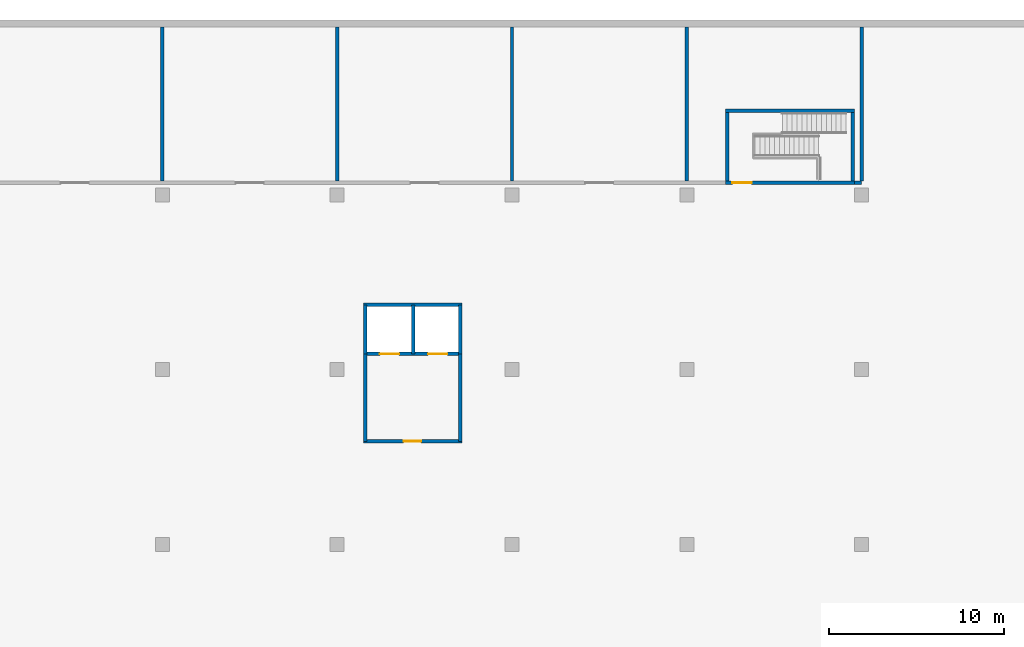
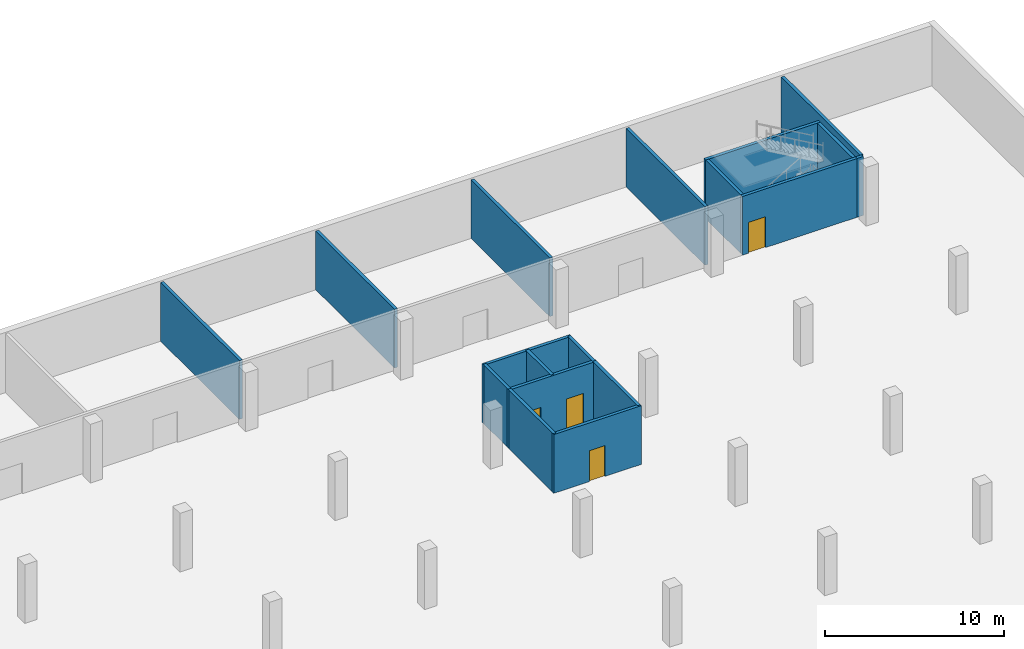
# One storey, part 12 of 19: 18 walls, 4 doors, 4 openings.
"""IFC4 building model written with IfcOpenShell, lengths in metres."""

from ifc_helpers import new_model, si_unit, direction, frame, frame_2d, origin, place, context, subcontext, project, spatial, rectangle, extrude, material, layer, layer_set, type_object, element, fill, save


model = new_model("IFC4")

# Units and contexts
model_context = context("Model", 3, precision=1e-05, world=origin(), true_north=direction((0.0, 1.0)))
body_context = subcontext(model_context, "Body", "Model", "MODEL_VIEW")
ifc_project = project(units=[si_unit("LENGTHUNIT", "METRE"), si_unit("AREAUNIT", "SQUARE_METRE"), si_unit("VOLUMEUNIT", "CUBIC_METRE"), si_unit("PLANEANGLEUNIT", "RADIAN"), si_unit("MASSUNIT", "GRAM", prefix="KILO")], contexts=[model_context])

# Site, building, storey
site_placement = place(None, origin())
site = spatial("IfcSite", under=ifc_project, at=site_placement, CompositionType="ELEMENT")
building_placement = place(site_placement, origin())
building = spatial("IfcBuilding", under=site, at=building_placement, Name="Qaws Garden Tower", CompositionType="ELEMENT")
storey_placement = place(building_placement, frame((0.0, 0.0, -4.5)))
storey = spatial("IfcBuildingStorey", under=building, at=storey_placement, Name="B1", CompositionType="ELEMENT", Elevation=-4.5)

# Wall, openings, doors
ifc_material_1 = material(Name="Concrete C40", Category="concrete")
ifc_layer_1 = layer(ifc_material_1, 0.199951171875)
ifc_layer_set_1 = layer_set([ifc_layer_1], Name="Concrete C40")
wall_type_1 = type_object("IfcWallType", Name="Lift shaft wall 200", PredefinedType="SOLIDWALL", material=ifc_layer_set_1)
wall_1_placement = place(storey_placement, frame((71.5, 90.89990234375, 0.0), z_axis=(0.0, 0.0, 1.0), x_axis=(1.0, 0.0, 0.0)))
wall_1 = element("IfcWall", 1, at=wall_1_placement, inside=storey, type_object=wall_type_1, Name="Lift shaft south wall", PredefinedType="SOLIDWALL", context=body_context, shape_type="SweptSolid", body=[
    extrude(rectangle(XDim=5.64990234375, YDim=0.199951171875, at=frame_2d((2.824951171875, 0.0))), origin(), (0.0, 0.0, 1.0), 4.0),
])
opening_1_placement = place(wall_1_placement, frame((0.949951171875, 0.0, 0.0)))
opening_1 = element("IfcOpeningElement", 2, at=opening_1_placement, cuts=wall_1, Name="Opening LD-01", PredefinedType="OPENING", context=body_context, shape_type="SweptSolid", body=[
    extrude(rectangle(XDim=1.10009765625, YDim=2.10009765625, at=frame_2d((0.550048828125, 1.050048828125))), frame((0.0, 0.10986328125, 0.0), z_axis=(0.0, -1.0, 0.0), x_axis=(1.0, 0.0, 0.0)), (0.0, 0.0, 1.0), 0.219970703125),
])
opening_2_placement = place(wall_1_placement, frame((3.699951171875, 0.0, 0.0)))
opening_2 = element("IfcOpeningElement", 3, at=opening_2_placement, cuts=wall_1, Name="Opening LD-02", PredefinedType="OPENING", context=body_context, shape_type="SweptSolid", body=[
    extrude(rectangle(XDim=1.10009765625, YDim=2.10009765625, at=frame_2d((0.550048828125, 1.050048828125))), frame((0.0, 0.10986328125, 0.0), z_axis=(0.0, -1.0, 0.0), x_axis=(1.0, 0.0, 0.0)), (0.0, 0.0, 1.0), 0.219970703125),
])
ifc_material_2 = material(Name="Steel S235", Category="steel")
door_type_1 = type_object("IfcDoorType", Name="Landing door 1100x2100", OperationType="DOUBLE_DOOR_SLIDING", PredefinedType="DOOR", material=ifc_material_2)
door_1_placement = place(opening_1_placement, origin())
door_1 = element("IfcDoor", 4, at=door_1_placement, inside=storey, type_object=door_type_1, Name="Lift landing door", OperationType="DOUBLE_DOOR_SLIDING", OverallHeight=2.10009765625, OverallWidth=1.10009765625, PredefinedType="DOOR", context=body_context, shape_type="SweptSolid", body=[
    extrude(rectangle(XDim=1.10009765625, YDim=2.10009765625, at=frame_2d((0.550048828125, 1.050048828125))), frame((0.0, 0.02490234375, 0.0), z_axis=(0.0, -1.0, 0.0), x_axis=(1.0, 0.0, 0.0)), (0.0, 0.0, 1.0), 0.050048828125),
])
fill(opening_1, door_1)
door_2_placement = place(opening_2_placement, origin())
door_2 = element("IfcDoor", 5, at=door_2_placement, inside=storey, type_object=door_type_1, Name="Lift landing door", OperationType="DOUBLE_DOOR_SLIDING", OverallHeight=2.10009765625, OverallWidth=1.10009765625, PredefinedType="DOOR", context=body_context, shape_type="SweptSolid", body=[
    extrude(rectangle(XDim=1.10009765625, YDim=2.10009765625, at=frame_2d((0.550048828125, 1.050048828125))), frame((0.0, 0.02490234375, 0.0), z_axis=(0.0, -1.0, 0.0), x_axis=(1.0, 0.0, 0.0)), (0.0, 0.0, 1.0), 0.050048828125),
])
fill(opening_2, door_2)

# Walls
wall_2_placement = place(storey_placement, frame((71.5, 93.699951171875, 0.0), z_axis=(0.0, 0.0, 1.0), x_axis=(1.0, 0.0, 0.0)))
element("IfcWall", 6, at=wall_2_placement, inside=storey, type_object=wall_type_1, Name="Lift shaft north wall", PredefinedType="SOLIDWALL", context=body_context, shape_type="SweptSolid", body=[
    extrude(rectangle(XDim=5.64990234375, YDim=0.199951171875, at=frame_2d((2.824951171875, 0.0))), origin(), (0.0, 0.0, 1.0), 4.0),
])
for number, where, z_axis, x_axis, name in (
    (7, (71.60009765625, 90.89990234375, 0.0), (0.0, 0.0, 1.0), (0.0, 1.0, 0.0), "Lift shaft west wall"),
    (8, (74.35009765625, 90.89990234375, 0.0), (0.0, 0.0, 1.0), (0.0, 1.0, 0.0), "Lift shaft partition"),
    (9, (77.050048828125, 90.89990234375, 0.0), (0.0, 0.0, 1.0), (0.0, 1.0, 0.0), "Lift shaft east wall"),
):
    element("IfcWall", number, at=place(storey_placement, frame(where, z_axis=z_axis, x_axis=x_axis)), inside=storey, type_object=wall_type_1, Name=name, PredefinedType="SOLIDWALL", context=body_context, shape_type="SweptSolid", body=[
        extrude(rectangle(XDim=2.800048828125, YDim=0.199951171875, at=frame_2d((1.39990234375, 0.0))), origin(), (0.0, 0.0, 1.0), 4.0),
    ])
ifc_material_3 = material(Name="Blockwork", Category="masonry")
ifc_layer_2 = layer(ifc_material_3, 0.199951171875)
ifc_layer_set_2 = layer_set([ifc_layer_2], Name="Blockwork")
wall_type_2 = type_object("IfcWallType", Name="Plant room wall 200", PredefinedType="PARTITIONING", material=ifc_layer_set_2)
wall_3_placement = place(storey_placement, frame((99.60009765625, 100.699951171875, 0.0), z_axis=(0.0, 0.0, 1.0), x_axis=(1.0, 0.0, 0.0)))
element("IfcWall", 10, at=wall_3_placement, inside=storey, type_object=wall_type_2, Name="Plant room wall", PredefinedType="PARTITIONING", context=body_context, shape_type="SweptSolid", body=[
    extrude(rectangle(XDim=0.39990234375, YDim=0.199951171875, at=frame_2d((0.199951171875, 0.0))), origin(), (0.0, 0.0, 1.0), 4.0),
])
for number, where, z_axis, x_axis, name in (
    (11, (60.0, 100.800048828125, 0.0), (0.0, 0.0, 1.0), (0.0, 1.0, 0.0), "Plant room partition"),
    (12, (70.0, 100.800048828125, 0.0), (0.0, 0.0, 1.0), (0.0, 1.0, 0.0), "Plant room partition"),
    (13, (80.0, 100.800048828125, 0.0), (0.0, 0.0, 1.0), (0.0, 1.0, 0.0), "Plant room partition"),
    (14, (90.0, 100.800048828125, 0.0), (0.0, 0.0, 1.0), (0.0, 1.0, 0.0), "Plant room partition"),
    (15, (100.0, 100.800048828125, 0.0), (0.0, 0.0, 1.0), (0.0, 1.0, 0.0), "Plant room partition"),
):
    element("IfcWall", number, at=place(storey_placement, frame(where, z_axis=z_axis, x_axis=x_axis)), inside=storey, type_object=wall_type_2, Name=name, PredefinedType="PARTITIONING", context=body_context, shape_type="SweptSolid", body=[
        extrude(rectangle(XDim=8.800048828125, YDim=0.199951171875, at=frame_2d((4.39990234375, 0.0))), origin(), (0.0, 0.0, 1.0), 4.0),
    ])
for number, where, z_axis, x_axis, name in (
    (16, (71.60009765625, 85.89990234375, 0.0), (0.0, 0.0, 1.0), (0.0, 1.0, 0.0), "Lift lobby west wall"),
    (17, (77.050048828125, 85.89990234375, 0.0), (0.0, 0.0, 1.0), (0.0, 1.0, 0.0), "Lift lobby east wall"),
):
    element("IfcWall", number, at=place(storey_placement, frame(where, z_axis=z_axis, x_axis=x_axis)), inside=storey, type_object=wall_type_2, Name=name, PredefinedType="PARTITIONING", context=body_context, shape_type="SweptSolid", body=[
        extrude(rectangle(XDim=5.0, YDim=0.199951171875, at=frame_2d((2.5, 0.0))), origin(), (0.0, 0.0, 1.0), 4.0),
    ])

# Wall, opening, door
wall_4_placement = place(storey_placement, frame((71.5, 85.89990234375, 0.0), z_axis=(0.0, 0.0, 1.0), x_axis=(1.0, 0.0, 0.0)))
wall_4 = element("IfcWall", 18, at=wall_4_placement, inside=storey, type_object=wall_type_2, Name="Lift lobby south wall", PredefinedType="PARTITIONING", context=body_context, shape_type="SweptSolid", body=[
    extrude(rectangle(XDim=5.64990234375, YDim=0.199951171875, at=frame_2d((2.824951171875, 0.0))), origin(), (0.0, 0.0, 1.0), 4.0),
])
opening_3_placement = place(wall_4_placement, frame((2.300048828125, 0.0, 0.0)))
opening_3 = element("IfcOpeningElement", 19, at=opening_3_placement, cuts=wall_4, Name="Opening PD12-01", PredefinedType="OPENING", context=body_context, shape_type="SweptSolid", body=[
    extrude(rectangle(XDim=1.0, YDim=2.10009765625, at=frame_2d((0.5, 1.050048828125))), frame((0.0, 0.10986328125, 0.0), z_axis=(0.0, -1.0, 0.0), x_axis=(1.0, 0.0, 0.0)), (0.0, 0.0, 1.0), 0.219970703125),
])
ifc_material_4 = material(Name="Steel S235 framed door leaf", Category="steel")
door_type_2 = type_object("IfcDoorType", Name="Door D12 fire single 1000", OperationType="SINGLE_SWING_LEFT", PredefinedType="DOOR", material=ifc_material_4)
door_3_placement = place(opening_3_placement, origin())
door_3 = element("IfcDoor", 20, at=door_3_placement, inside=storey, type_object=door_type_2, Name="Lift lobby door", OperationType="SINGLE_SWING_LEFT", OverallHeight=2.10009765625, OverallWidth=1.0, PredefinedType="DOOR", context=body_context, shape_type="SweptSolid", body=[
    extrude(rectangle(XDim=1.0, YDim=2.10009765625, at=frame_2d((0.5, 1.050048828125))), frame((0.0, 0.02490234375, 0.0), z_axis=(0.0, -1.0, 0.0), x_axis=(1.0, 0.0, 0.0)), (0.0, 0.0, 1.0), 0.050048828125),
])
fill(opening_3, door_3)

ifc_material_5 = material(Name="Concrete C40", Category="concrete")
ifc_layer_3 = layer(ifc_material_5, 0.199951171875)
ifc_layer_set_3 = layer_set([ifc_layer_3], Name="Concrete C40")
wall_type_3 = type_object("IfcWallType", Name="Stair enclosure wall 200", PredefinedType="SOLIDWALL", material=ifc_layer_set_3)
wall_5_placement = place(storey_placement, frame((92.199951171875, 100.699951171875, 0.0), z_axis=(0.0, 0.0, 1.0), x_axis=(1.0, 0.0, 0.0)))
wall_5 = element("IfcWall", 21, at=wall_5_placement, inside=storey, type_object=wall_type_3, Name="Stair N2 enclosure wall", PredefinedType="SOLIDWALL", context=body_context, shape_type="SweptSolid", body=[
    extrude(rectangle(XDim=7.400146484375, YDim=0.199951171875, at=frame_2d((3.7001953125, 0.0))), origin(), (0.0, 0.0, 1.0), 4.0),
])
opening_4_placement = place(wall_5_placement, frame((0.39990234375, 0.0, 0.0)))
opening_4 = element("IfcOpeningElement", 22, at=opening_4_placement, cuts=wall_5, Name="Opening PD4-02", PredefinedType="OPENING", context=body_context, shape_type="SweptSolid", body=[
    extrude(rectangle(XDim=1.10009765625, YDim=2.10009765625, at=frame_2d((0.550048828125, 1.050048828125))), frame((0.0, 0.10986328125, 0.0), z_axis=(0.0, -1.0, 0.0), x_axis=(1.0, 0.0, 0.0)), (0.0, 0.0, 1.0), 0.219970703125),
])
ifc_material_6 = material(Name="Steel S235 framed door leaf", Category="steel")
door_type_3 = type_object("IfcDoorType", Name="Door D4 fire stair 1100", OperationType="SINGLE_SWING_LEFT", PredefinedType="DOOR", material=ifc_material_6)
door_4_placement = place(opening_4_placement, origin())
door_4 = element("IfcDoor", 23, at=door_4_placement, inside=storey, type_object=door_type_3, Name="Exit stair door", OperationType="SINGLE_SWING_LEFT", OverallHeight=2.10009765625, OverallWidth=1.10009765625, PredefinedType="DOOR", context=body_context, shape_type="SweptSolid", body=[
    extrude(rectangle(XDim=1.10009765625, YDim=2.10009765625, at=frame_2d((0.550048828125, 1.050048828125))), frame((0.0, 0.02490234375, 0.0), z_axis=(0.0, -1.0, 0.0), x_axis=(1.0, 0.0, 0.0)), (0.0, 0.0, 1.0), 0.050048828125),
])
fill(opening_4, door_4)

# Walls
wall_6_placement = place(storey_placement, frame((92.199951171875, 104.800048828125, 0.0), z_axis=(0.0, 0.0, 1.0), x_axis=(1.0, 0.0, 0.0)))
element("IfcWall", 24, at=wall_6_placement, inside=storey, type_object=wall_type_3, Name="Stair N2 enclosure wall", PredefinedType="SOLIDWALL", context=body_context, shape_type="SweptSolid", body=[
    extrude(rectangle(XDim=7.400146484375, YDim=0.199951171875, at=frame_2d((3.7001953125, 0.0))), origin(), (0.0, 0.0, 1.0), 4.0),
])
for number, where, z_axis, x_axis, name in (
    (25, (92.300048828125, 100.800048828125, 0.0), (0.0, 0.0, 1.0), (0.0, 1.0, 0.0), "Stair N2 enclosure wall"),
    (26, (99.5, 100.800048828125, 0.0), (0.0, 0.0, 1.0), (0.0, 1.0, 0.0), "Stair N2 enclosure wall"),
):
    element("IfcWall", number, at=place(storey_placement, frame(where, z_axis=z_axis, x_axis=x_axis)), inside=storey, type_object=wall_type_3, Name=name, PredefinedType="SOLIDWALL", context=body_context, shape_type="SweptSolid", body=[
        extrude(rectangle(XDim=3.89990234375, YDim=0.199951171875, at=frame_2d((1.949951171875, 0.0))), origin(), (0.0, 0.0, 1.0), 4.0),
    ])

save(model, "model.ifc")
